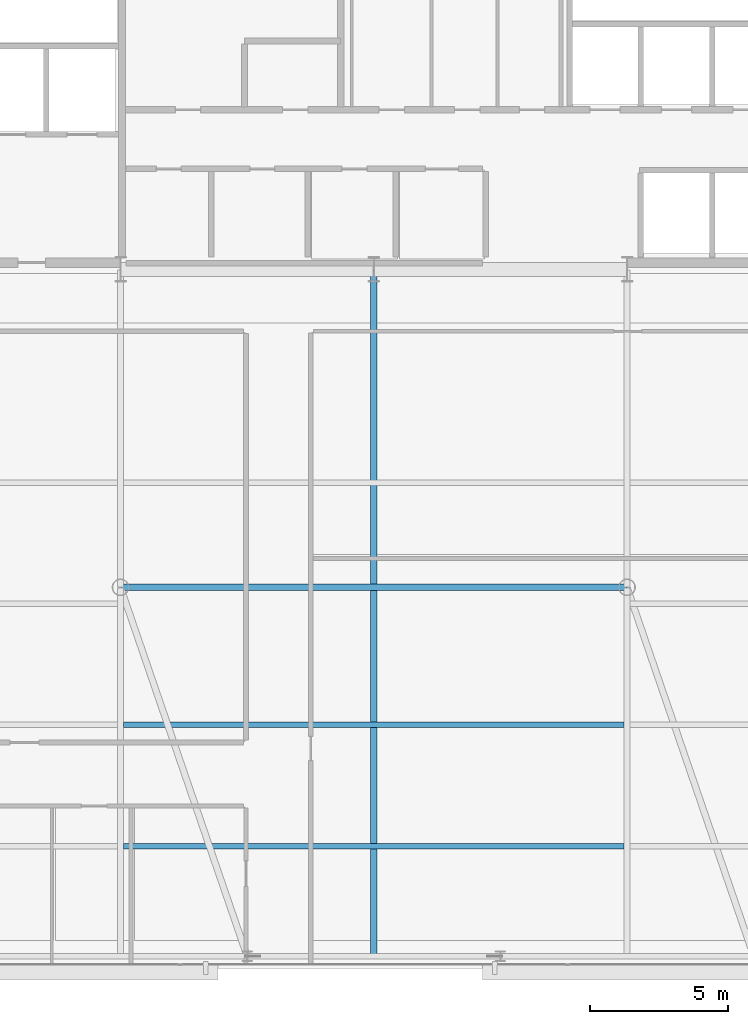
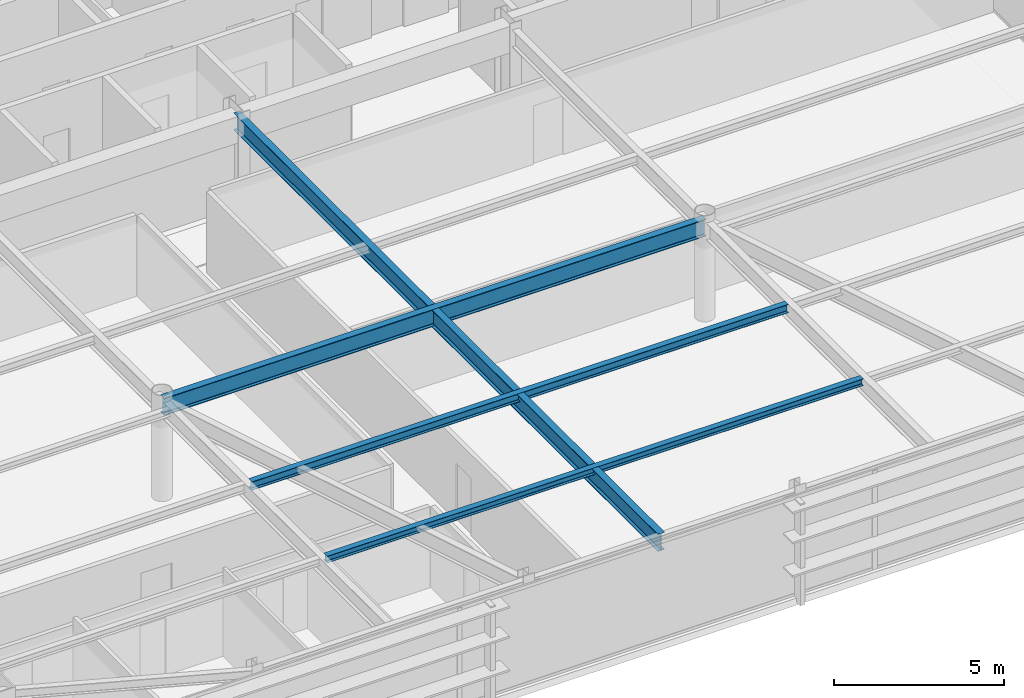
# One storey, part 8 of 25: 4 beams.
"""IFC4 building model written with IfcOpenShell, lengths in metres."""

from ifc_helpers import new_model, si_unit, direction, frame, origin, origin_2d, place, context, subcontext, project, spatial, i_section, extrude, source, transform, mapped, material, material_profile, profile_set, type_object, type_shapes, element, save


model = new_model("IFC4")

# Units and contexts
model_context = context("Model", 3, precision=1e-05, world=origin(), true_north=direction((0.0, 1.0)))
body_context = subcontext(model_context, "Body", "Model", "MODEL_VIEW")
ifc_project = project(units=[si_unit("LENGTHUNIT", "METRE"), si_unit("AREAUNIT", "SQUARE_METRE"), si_unit("VOLUMEUNIT", "CUBIC_METRE"), si_unit("PLANEANGLEUNIT", "RADIAN"), si_unit("MASSUNIT", "GRAM", prefix="KILO")], contexts=[model_context])

# Site, building, storey
site_placement = place(None, origin())
site = spatial("IfcSite", under=ifc_project, at=site_placement, CompositionType="ELEMENT")
building_placement = place(site_placement, origin())
building = spatial("IfcBuilding", under=site, at=building_placement, Name="Varnel Quay Broadcast Tower", CompositionType="ELEMENT")
storey_placement = place(building_placement, frame((0.0, 0.0, 250.800048828125)))
storey = spatial("IfcBuildingStorey", under=building, at=storey_placement, Name="L62", CompositionType="ELEMENT", Elevation=250.800048828125)

# Beams
ifc_material = material(Name="Structural Steel CSA G40.21 350W", Category="steel")
ifc_material_profile_1 = material_profile(ifc_material, i_section(OverallWidth=0.22998046875, OverallDepth=0.616943359375, WebThickness=0.01318359375, FlangeThickness=0.022216796875, FilletRadius=0.01611328125, at=origin_2d()), Name="W610X140")
ifc_profile_set_1 = profile_set([ifc_material_profile_1], Name="Structural Steel CSA G40.21 350W")
beam_type_1 = type_object("IfcBeamType", Name="Girder_W610X140", PredefinedType="BEAM", material=ifc_profile_set_1)
shared_shape_1 = source(origin(), body_context, "Body", "SweptSolid", [
    extrude(i_section(OverallWidth=0.22998046875, OverallDepth=0.616943359375, WebThickness=0.01318359375, FlangeThickness=0.022216796875, FilletRadius=0.01611328125, at=origin_2d()), origin(), (0.0, 0.0, 1.0), 18.35986328125),
])
beam_1_placement = place(storey_placement, frame((24.820068359375, 24.050048828125, 3.241455078125), z_axis=(1.0, 0.0, 0.0), x_axis=(0.0, 1.0, 0.0)))
element("IfcBeam", 1, at=beam_1_placement, inside=storey, type_object=beam_type_1, Name="L62 Interior Spine Girder", PredefinedType="BEAM", context=body_context, shape_type="MappedRepresentation", body=[
    mapped(shared_shape_1, transform((0.0, 0.0, 0.0), x_axis=(1.0, 0.0, 0.0), y_axis=(0.0, 1.0, 0.0), z_axis=(0.0, 0.0, 1.0), scale=1.0)),
])
shared_shape_2 = source(origin(), body_context, "Body", "SweptSolid", [
    extrude(i_section(OverallWidth=0.22998046875, OverallDepth=0.616943359375, WebThickness=0.01318359375, FlangeThickness=0.022216796875, FilletRadius=0.01611328125, at=origin_2d()), origin(), (0.0, 0.0, 1.0), 24.91015625),
])
type_shapes(beam_type_1, [shared_shape_1, shared_shape_2])
beam_2_placement = place(storey_placement, frame((34.0, 10.669921875, 3.241455078125), z_axis=(0.0, 1.0, 0.0), x_axis=(-1.0, 0.0, 0.0)))
element("IfcBeam", 2, at=beam_2_placement, inside=storey, type_object=beam_type_1, Name="L62 Central Bay Girder", PredefinedType="BEAM", context=body_context, shape_type="MappedRepresentation", body=[
    mapped(shared_shape_2, transform((0.0, 0.0, 0.0), x_axis=(1.0, 0.0, 0.0), y_axis=(0.0, 1.0, 0.0), z_axis=(0.0, 0.0, 1.0), scale=1.0)),
])
ifc_material_profile_2 = material_profile(ifc_material, i_section(OverallWidth=0.201904296875, OverallDepth=0.2470703125, WebThickness=0.00732421875, FlangeThickness=0.010986328125, FilletRadius=0.010986328125, at=origin_2d()), Name="W250X49")
ifc_profile_set_2 = profile_set([ifc_material_profile_2], Name="Structural Steel CSA G40.21 350W")
beam_type_2 = type_object("IfcBeamType", Name="Beam_W250X49", PredefinedType="JOIST", material=ifc_profile_set_2)
shared_shape_3 = source(origin(), body_context, "Body", "SweptSolid", [
    extrude(i_section(OverallWidth=0.201904296875, OverallDepth=0.2470703125, WebThickness=0.00732421875, FlangeThickness=0.010986328125, FilletRadius=0.010986328125, at=origin_2d()), origin(), (0.0, 0.0, 1.0), 18.18017578125),
])
type_shapes(beam_type_2, [shared_shape_3])
beam_3_placement = place(storey_placement, frame((24.909912109375, 14.64990234375, 3.426513671875), z_axis=(1.0, 0.0, 0.0), x_axis=(0.0, 1.0, 0.0)))
element("IfcBeam", 3, at=beam_3_placement, inside=storey, type_object=beam_type_2, Name="L62 Central Floor Joist 1", PredefinedType="JOIST", context=body_context, shape_type="MappedRepresentation", body=[
    mapped(shared_shape_3, transform((0.0, 0.0, 0.0), x_axis=(1.0, 0.0, 0.0), y_axis=(0.0, 1.0, 0.0), z_axis=(0.0, 0.0, 1.0), scale=1.0)),
])
ifc_material_profile_3 = material_profile(ifc_material, i_section(OverallWidth=0.202880859375, OverallDepth=0.302978515625, WebThickness=0.007568359375, FlangeThickness=0.01318359375, FilletRadius=0.011962890625, at=origin_2d()), Name="W310X60")
ifc_profile_set_3 = profile_set([ifc_material_profile_3], Name="Structural Steel CSA G40.21 350W")
beam_type_3 = type_object("IfcBeamType", Name="Beam_W310X60", PredefinedType="JOIST", material=ifc_profile_set_3)
shared_shape_4 = source(origin(), body_context, "Body", "SweptSolid", [
    extrude(i_section(OverallWidth=0.202880859375, OverallDepth=0.302978515625, WebThickness=0.007568359375, FlangeThickness=0.01318359375, FilletRadius=0.011962890625, at=origin_2d()), origin(), (0.0, 0.0, 1.0), 18.18017578125),
])
type_shapes(beam_type_3, [shared_shape_4])
beam_4_placement = place(storey_placement, frame((24.909912109375, 19.050048828125, 3.3984375), z_axis=(1.0, 0.0, 0.0), x_axis=(0.0, 1.0, 0.0)))
element("IfcBeam", 4, at=beam_4_placement, inside=storey, type_object=beam_type_3, Name="L62 Central Floor Joist 2", PredefinedType="JOIST", context=body_context, shape_type="MappedRepresentation", body=[
    mapped(shared_shape_4, transform((0.0, 0.0, 0.0), x_axis=(1.0, 0.0, 0.0), y_axis=(0.0, 1.0, 0.0), z_axis=(0.0, 0.0, 1.0), scale=1.0)),
])

save(model, "model.ifc")
